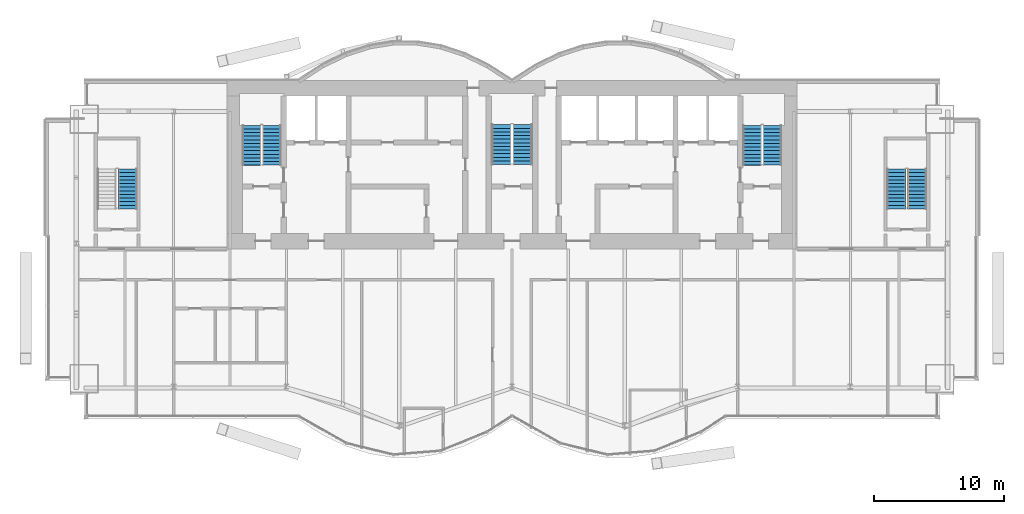
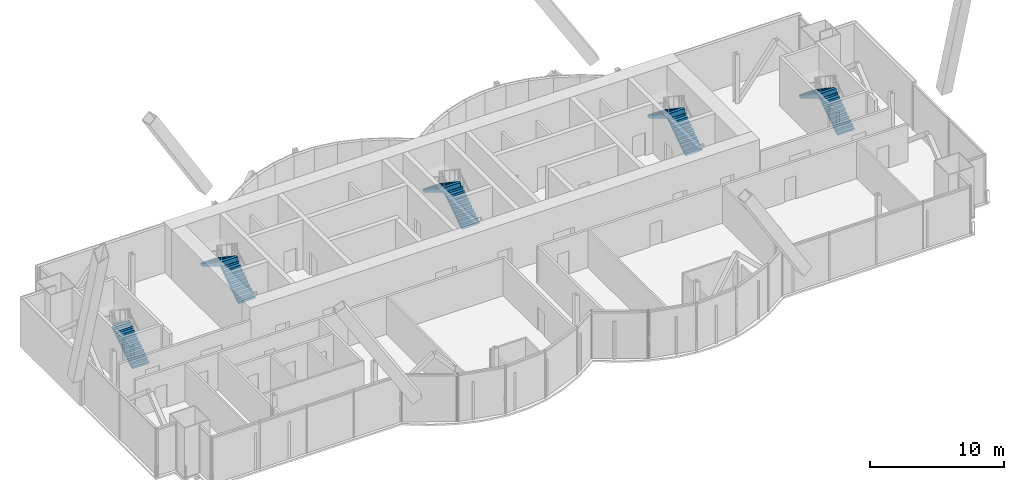
# One storey, part 19 of 22: 9 stair flights, 5 elements without a shape of their own.
"""IFC4 building model written with IfcOpenShell, lengths in metres."""

from ifc_helpers import new_model, si_unit, direction, frame, origin, place, context, subcontext, project, spatial, polyline, outline, extrude, material, type_object, element, aggregate, save


model = new_model("IFC4")

# Units and contexts
model_context = context("Model", 3, precision=1e-05, world=origin(), true_north=direction((0.0, 1.0)))
body_context = subcontext(model_context, "Body", "Model", "MODEL_VIEW")
ifc_project = project(units=[si_unit("LENGTHUNIT", "METRE"), si_unit("AREAUNIT", "SQUARE_METRE"), si_unit("VOLUMEUNIT", "CUBIC_METRE"), si_unit("PLANEANGLEUNIT", "RADIAN"), si_unit("MASSUNIT", "GRAM", prefix="KILO")], contexts=[model_context])

# Site, building, storey
site_placement = place(None, origin())
site = spatial("IfcSite", under=ifc_project, at=site_placement, CompositionType="ELEMENT")
building_placement = place(site_placement, origin())
building = spatial("IfcBuilding", under=site, at=building_placement, Name="Bicima Exchange Tower", CompositionType="ELEMENT")
storey_placement = place(building_placement, frame((0.0, 0.0, 315.5)))
storey = spatial("IfcBuildingStorey", under=building, at=storey_placement, Name="L71", CompositionType="ELEMENT", Elevation=315.5)

# Stair, stair flights
ifc_material = material(Name="Concrete C50/60", Category="concrete")
stair_type_1 = type_object("IfcStairType", Name="Exit stair", PredefinedType="HALF_TURN_STAIR", material=ifc_material)
stair_1_placement = place(storey_placement, origin())
stair_1 = element("IfcStair", 1, at=stair_1_placement, inside=storey, type_object=stair_type_1, Name="L71 West exit stair", PredefinedType="HALF_TURN_STAIR")
stair_flight_type_1 = type_object("IfcStairFlightType", Name="Stair flight RC", PredefinedType="STRAIGHT", material=ifc_material)
stair_flight_1_placement = place(storey_placement, frame((-18.52490234375, -6.550048828125, 0.0), z_axis=(0.0, 0.0, 1.0), x_axis=(0.0, 1.0, 0.0)))
stair_flight_1 = element("IfcStairFlight", 2, at=stair_flight_1_placement, type_object=stair_flight_type_1, Name="ST-W flight 1", NumberOfRisers=12, NumberOfTreads=11, PredefinedType="STRAIGHT", RiserHeight=0.1875, TreadLength=0.28, context=body_context, shape_type="SweptSolid", body=[
    extrude(outline(polyline([(0.0, 0.0), (0.0, 0.1875), (0.280029296875, 0.1875), (0.280029296875, 0.375), (0.56005859375, 0.375), (0.56005859375, 0.5625), (0.840087890625, 0.5625), (0.840087890625, 0.75), (1.1201171875, 0.75), (1.1201171875, 0.9375), (1.39990234375, 0.9375), (1.39990234375, 1.125), (1.679931640625, 1.125), (1.679931640625, 1.3125), (1.9599609375, 1.3125), (1.9599609375, 1.5), (2.239990234375, 1.5), (2.239990234375, 1.6875), (2.52001953125, 1.6875), (2.52001953125, 1.875), (2.800048828125, 1.875), (2.800048828125, 2.0625), (3.080078125, 2.0625), (3.080078125, 2.25), (3.080078125, 1.882080078125), (0.26953125, 0.0), (0.0, 0.0)])), frame((0.0, 0.72509765625, 0.0), z_axis=(0.0, -1.0, 0.0), x_axis=(1.0, 0.0, 0.0)), (0.0, 0.0, 1.0), 1.449951171875),
])
stair_flight_2_placement = place(storey_placement, frame((-20.074951171875, -3.469970703125, 2.25), z_axis=(0.0, 0.0, 1.0), x_axis=(0.0, -1.0, 0.0)))
stair_flight_2 = element("IfcStairFlight", 3, at=stair_flight_2_placement, type_object=stair_flight_type_1, Name="ST-W flight 2", NumberOfRisers=12, NumberOfTreads=11, PredefinedType="STRAIGHT", RiserHeight=0.1875, TreadLength=0.28, context=body_context, shape_type="SweptSolid", body=[
    extrude(outline(polyline([(0.0, 0.0), (0.0, 0.1875), (0.280029296875, 0.1875), (0.280029296875, 0.375), (0.56005859375, 0.375), (0.56005859375, 0.5625), (0.840087890625, 0.5625), (0.840087890625, 0.75), (1.1201171875, 0.75), (1.1201171875, 0.9375), (1.39990234375, 0.9375), (1.39990234375, 1.125), (1.679931640625, 1.125), (1.679931640625, 1.3125), (1.9599609375, 1.3125), (1.9599609375, 1.5), (2.239990234375, 1.5), (2.239990234375, 1.6875), (2.52001953125, 1.6875), (2.52001953125, 1.875), (2.800048828125, 1.875), (2.800048828125, 2.0625), (3.080078125, 2.0625), (3.080078125, 2.10400390625), (3.094970703125, 2.10400390625), (3.094970703125, 1.70458984375), (0.26953125, 0.0), (0.0, 0.0)])), frame((0.0, 0.72509765625, 0.0), z_axis=(0.0, -1.0, 0.0), x_axis=(1.0, 0.0, 0.0)), (0.0, 0.0, 1.0), 1.449951171875),
])
aggregate(stair_1, [stair_flight_1, stair_flight_2])

stair_2_placement = place(storey_placement, origin())
stair_2 = element("IfcStair", 4, at=stair_2_placement, inside=storey, type_object=stair_type_1, Name="L71 East exit stair", PredefinedType="HALF_TURN_STAIR")
stair_flight_3_placement = place(storey_placement, frame((20.074951171875, -6.550048828125, 0.0), z_axis=(0.0, 0.0, 1.0), x_axis=(0.0, 1.0, 0.0)))
stair_flight_3 = element("IfcStairFlight", 5, at=stair_flight_3_placement, type_object=stair_flight_type_1, Name="ST-E flight 1", NumberOfRisers=12, NumberOfTreads=11, PredefinedType="STRAIGHT", RiserHeight=0.1875, TreadLength=0.28, context=body_context, shape_type="SweptSolid", body=[
    extrude(outline(polyline([(0.0, 0.0), (0.0, 0.1875), (0.280029296875, 0.1875), (0.280029296875, 0.375), (0.56005859375, 0.375), (0.56005859375, 0.5625), (0.840087890625, 0.5625), (0.840087890625, 0.75), (1.1201171875, 0.75), (1.1201171875, 0.9375), (1.39990234375, 0.9375), (1.39990234375, 1.125), (1.679931640625, 1.125), (1.679931640625, 1.3125), (1.9599609375, 1.3125), (1.9599609375, 1.5), (2.239990234375, 1.5), (2.239990234375, 1.6875), (2.52001953125, 1.6875), (2.52001953125, 1.875), (2.800048828125, 1.875), (2.800048828125, 2.0625), (3.080078125, 2.0625), (3.080078125, 2.25), (3.080078125, 1.882080078125), (0.26953125, 0.0), (0.0, 0.0)])), frame((0.0, 0.72509765625, 0.0), z_axis=(0.0, -1.0, 0.0), x_axis=(1.0, 0.0, 0.0)), (0.0, 0.0, 1.0), 1.449951171875),
])
stair_flight_4_placement = place(storey_placement, frame((18.52490234375, -3.469970703125, 2.25), z_axis=(0.0, 0.0, 1.0), x_axis=(0.0, -1.0, 0.0)))
stair_flight_4 = element("IfcStairFlight", 6, at=stair_flight_4_placement, type_object=stair_flight_type_1, Name="ST-E flight 2", NumberOfRisers=12, NumberOfTreads=11, PredefinedType="STRAIGHT", RiserHeight=0.1875, TreadLength=0.28, context=body_context, shape_type="SweptSolid", body=[
    extrude(outline(polyline([(0.0, 0.0), (0.0, 0.1875), (0.280029296875, 0.1875), (0.280029296875, 0.375), (0.56005859375, 0.375), (0.56005859375, 0.5625), (0.840087890625, 0.5625), (0.840087890625, 0.75), (1.1201171875, 0.75), (1.1201171875, 0.9375), (1.39990234375, 0.9375), (1.39990234375, 1.125), (1.679931640625, 1.125), (1.679931640625, 1.3125), (1.9599609375, 1.3125), (1.9599609375, 1.5), (2.239990234375, 1.5), (2.239990234375, 1.6875), (2.52001953125, 1.6875), (2.52001953125, 1.875), (2.800048828125, 1.875), (2.800048828125, 2.0625), (3.080078125, 2.0625), (3.080078125, 2.10400390625), (3.094970703125, 2.10400390625), (3.094970703125, 1.70458984375), (0.26953125, 0.0), (0.0, 0.0)])), frame((0.0, 0.72509765625, 0.0), z_axis=(0.0, -1.0, 0.0), x_axis=(1.0, 0.0, 0.0)), (0.0, 0.0, 1.0), 1.449951171875),
])
aggregate(stair_2, [stair_flight_3, stair_flight_4])

# Stair, stair flight
stair_3_placement = place(storey_placement, origin())
stair_3 = element("IfcStair", 7, at=stair_3_placement, inside=storey, type_object=stair_type_1, Name="L71 West end exit stair", PredefinedType="HALF_TURN_STAIR")
stair_flight_5_placement = place(storey_placement, frame((-29.64990234375, -9.925048828125, 0.0), z_axis=(0.0, 0.0, 1.0), x_axis=(0.0, 1.0, 0.0)))
stair_flight_5 = element("IfcStairFlight", 8, at=stair_flight_5_placement, type_object=stair_flight_type_1, Name="ST-WW flight 1", NumberOfRisers=12, NumberOfTreads=11, PredefinedType="STRAIGHT", RiserHeight=0.1875, TreadLength=0.28, context=body_context, shape_type="SweptSolid", body=[
    extrude(outline(polyline([(0.0, 0.0), (0.0, 0.1875), (0.280029296875, 0.1875), (0.280029296875, 0.375), (0.56005859375, 0.375), (0.56005859375, 0.5625), (0.840087890625, 0.5625), (0.840087890625, 0.75), (1.1201171875, 0.75), (1.1201171875, 0.9375), (1.39990234375, 0.9375), (1.39990234375, 1.125), (1.679931640625, 1.125), (1.679931640625, 1.3125), (1.9599609375, 1.3125), (1.9599609375, 1.5), (2.239990234375, 1.5), (2.239990234375, 1.6875), (2.52001953125, 1.6875), (2.52001953125, 1.875), (2.800048828125, 1.875), (2.800048828125, 2.0625), (3.080078125, 2.0625), (3.080078125, 2.25), (3.080078125, 1.882080078125), (0.26953125, 0.0), (0.0, 0.0)])), frame((0.0, 0.72509765625, 0.0), z_axis=(0.0, -1.0, 0.0), x_axis=(1.0, 0.0, 0.0)), (0.0, 0.0, 1.0), 1.449951171875),
])
aggregate(stair_3, [stair_flight_5])

# Stair, stair flights
stair_4_placement = place(storey_placement, origin())
stair_4 = element("IfcStair", 9, at=stair_4_placement, inside=storey, type_object=stair_type_1, Name="L71 East end exit stair", PredefinedType="HALF_TURN_STAIR")
stair_flight_6_placement = place(storey_placement, frame((31.25, -9.925048828125, 0.0), z_axis=(0.0, 0.0, 1.0), x_axis=(0.0, 1.0, 0.0)))
stair_flight_6 = element("IfcStairFlight", 10, at=stair_flight_6_placement, type_object=stair_flight_type_1, Name="ST-EE flight 1", NumberOfRisers=12, NumberOfTreads=11, PredefinedType="STRAIGHT", RiserHeight=0.1875, TreadLength=0.28, context=body_context, shape_type="SweptSolid", body=[
    extrude(outline(polyline([(0.0, 0.0), (0.0, 0.1875), (0.280029296875, 0.1875), (0.280029296875, 0.375), (0.56005859375, 0.375), (0.56005859375, 0.5625), (0.840087890625, 0.5625), (0.840087890625, 0.75), (1.1201171875, 0.75), (1.1201171875, 0.9375), (1.39990234375, 0.9375), (1.39990234375, 1.125), (1.679931640625, 1.125), (1.679931640625, 1.3125), (1.9599609375, 1.3125), (1.9599609375, 1.5), (2.239990234375, 1.5), (2.239990234375, 1.6875), (2.52001953125, 1.6875), (2.52001953125, 1.875), (2.800048828125, 1.875), (2.800048828125, 2.0625), (3.080078125, 2.0625), (3.080078125, 2.25), (3.080078125, 1.882080078125), (0.26953125, 0.0), (0.0, 0.0)])), frame((0.0, 0.72509765625, 0.0), z_axis=(0.0, -1.0, 0.0), x_axis=(1.0, 0.0, 0.0)), (0.0, 0.0, 1.0), 1.449951171875),
])
stair_flight_7_placement = place(storey_placement, frame((29.64990234375, -6.844970703125, 2.25), z_axis=(0.0, 0.0, 1.0), x_axis=(0.0, -1.0, 0.0)))
stair_flight_7 = element("IfcStairFlight", 11, at=stair_flight_7_placement, type_object=stair_flight_type_1, Name="ST-EE flight 2", NumberOfRisers=12, NumberOfTreads=11, PredefinedType="STRAIGHT", RiserHeight=0.1875, TreadLength=0.28, context=body_context, shape_type="SweptSolid", body=[
    extrude(outline(polyline([(0.0, 0.0), (0.0, 0.1875), (0.280029296875, 0.1875), (0.280029296875, 0.375), (0.56005859375, 0.375), (0.56005859375, 0.5625), (0.840087890625, 0.5625), (0.840087890625, 0.75), (1.1201171875, 0.75), (1.1201171875, 0.9375), (1.39990234375, 0.9375), (1.39990234375, 1.125), (1.679931640625, 1.125), (1.679931640625, 1.3125), (1.9599609375, 1.3125), (1.9599609375, 1.5), (2.239990234375, 1.5), (2.239990234375, 1.6875), (2.52001953125, 1.6875), (2.52001953125, 1.875), (2.800048828125, 1.875), (2.800048828125, 2.0625), (3.080078125, 2.0625), (3.080078125, 2.10400390625), (3.094970703125, 2.10400390625), (3.094970703125, 1.70458984375), (0.26953125, 0.0), (0.0, 0.0)])), frame((0.0, 0.72509765625, 0.0), z_axis=(0.0, -1.0, 0.0), x_axis=(1.0, 0.0, 0.0)), (0.0, 0.0, 1.0), 1.449951171875),
])
aggregate(stair_4, [stair_flight_6, stair_flight_7])

stair_type_2 = type_object("IfcStairType", Name="Exit stair 1500", PredefinedType="HALF_TURN_STAIR", material=ifc_material)
stair_5_placement = place(storey_placement, origin())
stair_5 = element("IfcStair", 12, at=stair_5_placement, inside=storey, type_object=stair_type_2, Name="L71 Central exit stair", PredefinedType="HALF_TURN_STAIR")
stair_flight_type_2 = type_object("IfcStairFlightType", Name="Stair flight RC 1500", PredefinedType="STRAIGHT", material=ifc_material)
stair_flight_8_placement = place(storey_placement, frame((0.824951171875, -6.5, 0.0), z_axis=(0.0, 0.0, 1.0), x_axis=(0.0, 1.0, 0.0)))
stair_flight_8 = element("IfcStairFlight", 13, at=stair_flight_8_placement, type_object=stair_flight_type_2, Name="ST-C flight 1", NumberOfRisers=12, NumberOfTreads=11, PredefinedType="STRAIGHT", RiserHeight=0.1875, TreadLength=0.28, context=body_context, shape_type="SweptSolid", body=[
    extrude(outline(polyline([(0.0, 0.0), (0.0, 0.1875), (0.280029296875, 0.1875), (0.280029296875, 0.375), (0.56005859375, 0.375), (0.56005859375, 0.5625), (0.840087890625, 0.5625), (0.840087890625, 0.75), (1.1201171875, 0.75), (1.1201171875, 0.9375), (1.39990234375, 0.9375), (1.39990234375, 1.125), (1.679931640625, 1.125), (1.679931640625, 1.3125), (1.9599609375, 1.3125), (1.9599609375, 1.5), (2.239990234375, 1.5), (2.239990234375, 1.6875), (2.52001953125, 1.6875), (2.52001953125, 1.875), (2.800048828125, 1.875), (2.800048828125, 2.0625), (3.080078125, 2.0625), (3.080078125, 2.25), (3.080078125, 1.882080078125), (0.26953125, 0.0), (0.0, 0.0)])), frame((0.0, 0.75, 0.0), z_axis=(0.0, -1.0, 0.0), x_axis=(1.0, 0.0, 0.0)), (0.0, 0.0, 1.0), 1.5),
])
stair_flight_9_placement = place(storey_placement, frame((-0.824951171875, -3.419921875, 2.25), z_axis=(0.0, 0.0, 1.0), x_axis=(0.0, -1.0, 0.0)))
stair_flight_9 = element("IfcStairFlight", 14, at=stair_flight_9_placement, type_object=stair_flight_type_2, Name="ST-C flight 2", NumberOfRisers=12, NumberOfTreads=11, PredefinedType="STRAIGHT", RiserHeight=0.1875, TreadLength=0.28, context=body_context, shape_type="SweptSolid", body=[
    extrude(outline(polyline([(0.0, 0.0), (0.0, 0.1875), (0.280029296875, 0.1875), (0.280029296875, 0.375), (0.56005859375, 0.375), (0.56005859375, 0.5625), (0.840087890625, 0.5625), (0.840087890625, 0.75), (1.1201171875, 0.75), (1.1201171875, 0.9375), (1.39990234375, 0.9375), (1.39990234375, 1.125), (1.679931640625, 1.125), (1.679931640625, 1.3125), (1.9599609375, 1.3125), (1.9599609375, 1.5), (2.239990234375, 1.5), (2.239990234375, 1.6875), (2.52001953125, 1.6875), (2.52001953125, 1.875), (2.800048828125, 1.875), (2.800048828125, 2.0625), (3.080078125, 2.0625), (3.080078125, 2.10400390625), (3.094970703125, 2.10400390625), (3.094970703125, 1.70458984375), (0.26953125, 0.0), (0.0, 0.0)])), frame((0.0, 0.75, 0.0), z_axis=(0.0, -1.0, 0.0), x_axis=(1.0, 0.0, 0.0)), (0.0, 0.0, 1.0), 1.5),
])
aggregate(stair_5, [stair_flight_8, stair_flight_9])

save(model, "model.ifc")
